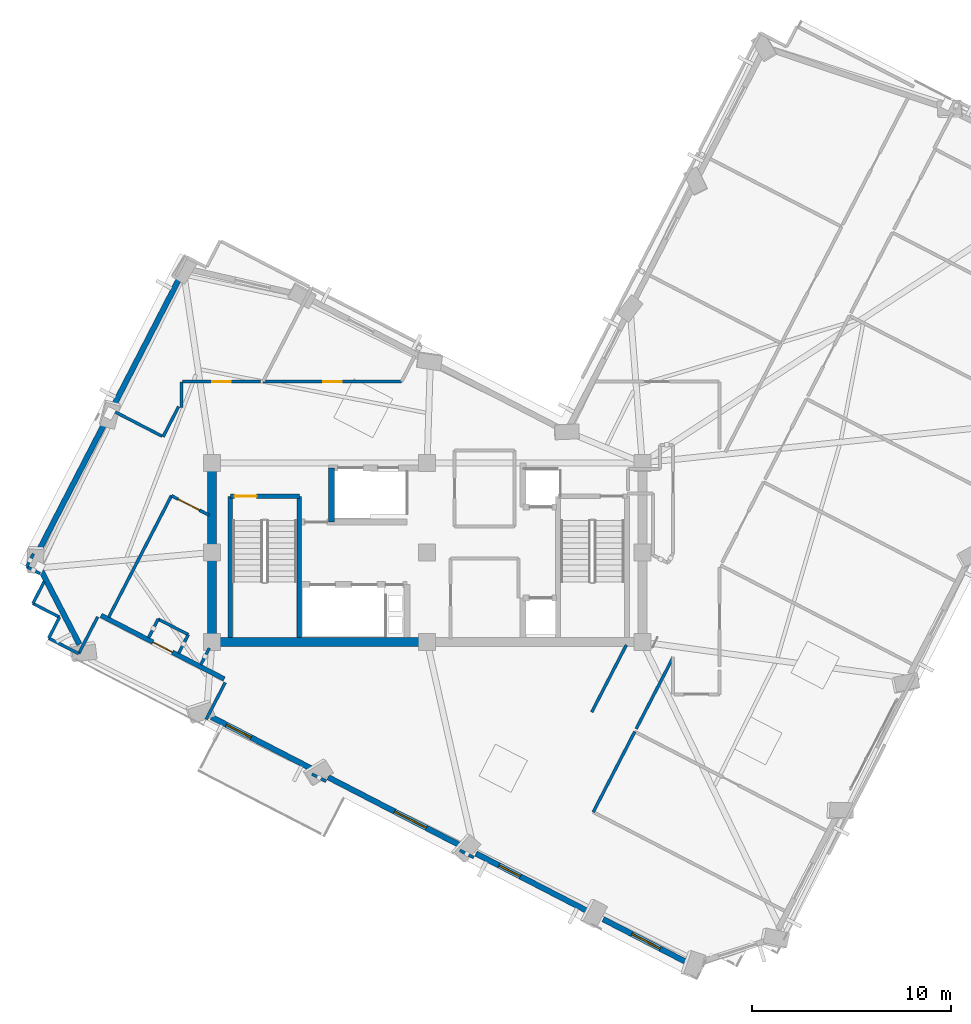
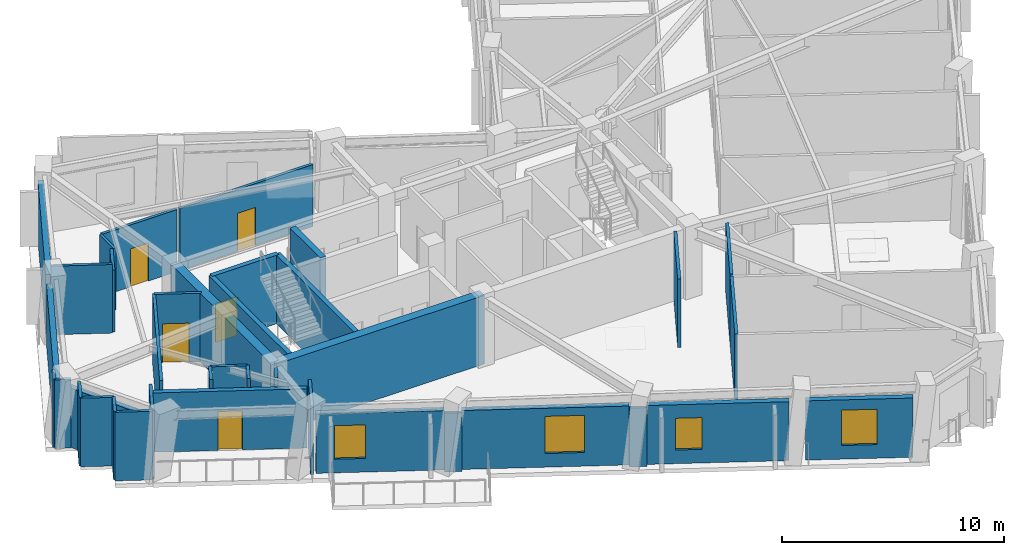
# One storey, part 5 of 11: 38 walls, 5 doors, 4 windows, 9 openings.
"""IFC4 building model written with IfcOpenShell, lengths in metres."""

from ifc_helpers import new_model, si_unit, direction, frame, frame_2d, origin, place, context, subcontext, project, spatial, rectangle, extrude, material, layer, layer_set, type_object, element, fill, save


model = new_model("IFC4")

# Units and contexts
model_context = context("Model", 3, precision=1e-05, world=origin(), true_north=direction((0.0, 1.0)))
body_context = subcontext(model_context, "Body", "Model", "MODEL_VIEW")
ifc_project = project(units=[si_unit("LENGTHUNIT", "METRE"), si_unit("AREAUNIT", "SQUARE_METRE"), si_unit("VOLUMEUNIT", "CUBIC_METRE"), si_unit("PLANEANGLEUNIT", "RADIAN"), si_unit("MASSUNIT", "GRAM", prefix="KILO")], contexts=[model_context])

# Site, building, storey
site_placement = place(None, origin())
site = spatial("IfcSite", under=ifc_project, at=site_placement, CompositionType="ELEMENT")
building_placement = place(site_placement, origin())
building = spatial("IfcBuilding", under=site, at=building_placement, Name="Gaonmaruhae Medical Tower", CompositionType="ELEMENT")
storey_placement = place(building_placement, frame((0.0, 0.0, 292.60009765625)))
storey = spatial("IfcBuildingStorey", under=building, at=storey_placement, Name="L70", CompositionType="ELEMENT", Elevation=292.60009765625)

# Walls
ifc_material_1 = material(Name="Concrete C50/60", Category="concrete")
ifc_layer_1 = layer(ifc_material_1, 0.449951171875)
ifc_layer_set_1 = layer_set([ifc_layer_1], Name="Concrete C50/60")
wall_type_1 = type_object("IfcWallType", Name="CW-450 Upper Core Shear Wall", PredefinedType="SHEAR", material=ifc_layer_set_1)
wall_1_placement = place(storey_placement, frame((14.0, 7.800048828125, 0.0), z_axis=(0.0, 0.0, 1.0), x_axis=(1.0, 0.0, 0.0)))
element("IfcWall", 1, at=wall_1_placement, inside=storey, type_object=wall_type_1, Name="L70 Core Shear Wall CSW-S1", PredefinedType="SHEAR", context=body_context, shape_type="SweptSolid", body=[
    extrude(rectangle(XDim=10.800048828125, YDim=0.449951171875, at=frame_2d((5.39990234375, 0.0))), origin(), (0.0, 0.0, 1.0), 3.77978515625),
])
wall_2_placement = place(storey_placement, frame((14.0, 16.800048828125, 0.0), z_axis=(0.0, 0.0, 1.0), x_axis=(0.0, -1.0, 0.0)))
element("IfcWall", 2, at=wall_2_placement, inside=storey, type_object=wall_type_1, Name="L70 Core Shear Wall CSW-W1", PredefinedType="SHEAR", context=body_context, shape_type="SweptSolid", body=[
    extrude(rectangle(XDim=9.0, YDim=0.449951171875, at=frame_2d((4.5, 0.0))), origin(), (0.0, 0.0, 1.0), 3.77978515625),
])

# Wall, opening, door
ifc_material_2 = material(Name="Precast concrete C45/55", Category="concrete")
ifc_layer_2 = layer(ifc_material_2, 0.239990234375)
ifc_layer_set_2 = layer_set([ifc_layer_2], Name="Precast concrete C45/55")
wall_type_2 = type_object("IfcWallType", Name="EW-240 Ribbon & Shelter Insulated Precast Wall", PredefinedType="SOLIDWALL", material=ifc_layer_set_2)
wall_3_placement = place(storey_placement, frame((14.618408203125, 5.94580078125, 0.0), z_axis=(0.0, 0.0, 1.0), x_axis=(-0.888607744186, 0.45866793759, 0.0)))
wall_3 = element("IfcWall", 3, at=wall_3_placement, inside=storey, type_object=wall_type_2, Name="L70 Recessed Terrace Enclosure Wall TERB", PredefinedType="SOLIDWALL", context=body_context, shape_type="SweptSolid", body=[
    extrude(rectangle(XDim=6.960205078125, YDim=0.239990234375, at=frame_2d((3.47998046875, 0.0))), origin(), (0.0, 0.0, 1.0), 3.264892578125),
])
opening_1_placement = place(wall_3_placement, frame((2.929931640625, 0.0, 0.0)))
opening_1 = element("IfcOpeningElement", 4, at=opening_1_placement, cuts=wall_3, Name="Opening TD-01", PredefinedType="OPENING", context=body_context, shape_type="SweptSolid", body=[
    extrude(rectangle(XDim=1.10009765625, YDim=2.14990234375, at=frame_2d((0.550048828125, 1.074951171875))), frame((0.0, 0.1298828125, 0.0), z_axis=(0.0, -1.0, 0.0), x_axis=(1.0, 0.0, 0.0)), (0.0, 0.0, 1.0), 0.260009765625),
])
ifc_material_3 = material(Name="Anodised aluminium and toughened safety glass", Category="aluminium")
door_type_1 = type_object("IfcDoorType", Name="TD-01 Terrace & Sky Garden Glazed Door 1100x2150", OperationType="NOTDEFINED", PredefinedType="DOOR", material=ifc_material_3)
door_1_placement = place(opening_1_placement, origin())
door_1 = element("IfcDoor", 5, at=door_1_placement, inside=storey, type_object=door_type_1, Name="L70 Outdoor Terrace Access Door SLB-L70-TER", OperationType="SINGLE_SWING_LEFT", OverallHeight=2.14990234375, OverallWidth=1.10009765625, PredefinedType="DOOR", context=body_context, shape_type="SweptSolid", body=[
    extrude(rectangle(XDim=1.10009765625, YDim=2.14990234375, at=frame_2d((0.550048828125, 1.074951171875))), frame((0.0, 0.02490234375, 0.0), z_axis=(0.0, -1.0, 0.0), x_axis=(1.0, 0.0, 0.0)), (0.0, 0.0, 1.0), 0.050048828125),
])
fill(opening_1, door_1)

# Walls
ifc_layer_3 = layer(ifc_material_2, 0.280029296875)
ifc_layer_set_3 = layer_set([ifc_layer_3], Name="Precast concrete C45/55")
wall_type_3 = type_object("IfcWallType", Name="EW-280 Upper Precast Masonry-Frame Facade Wall", PredefinedType="SOLIDWALL", material=ifc_layer_set_3)
wall_4_placement = place(storey_placement, frame((8.961181640625, 19.470458984375, 0.0), z_axis=(0.0, 0.0, 1.0), x_axis=(0.45865797747, 0.888612885177, 0.0)))
element("IfcWall", 6, at=wall_4_placement, inside=storey, type_object=wall_type_3, Name="L70 Precast Masonry-Frame Wall N01-N02", PredefinedType="SOLIDWALL", context=body_context, shape_type="SweptSolid", body=[
    extrude(rectangle(XDim=7.43408203125, YDim=0.280029296875, at=frame_2d((3.717041015625, 0.0))), origin(), (0.0, 0.0, 1.0), 3.264892578125),
])
wall_5_placement = place(storey_placement, frame((5.185791015625, 12.155517578125, 0.0), z_axis=(0.0, 0.0, 1.0), x_axis=(0.458658706645, 0.888612508813, 0.0)))
element("IfcWall", 7, at=wall_5_placement, inside=storey, type_object=wall_type_3, Name="L70 Precast Masonry-Frame Wall N02-N03", PredefinedType="SOLIDWALL", context=body_context, shape_type="SweptSolid", body=[
    extrude(rectangle(XDim=7.484619140625, YDim=0.280029296875, at=frame_2d((3.7421875, 0.0))), origin(), (0.0, 0.0, 1.0), 3.264892578125),
])
wall_6_placement = place(storey_placement, frame((7.344970703125, 7.68310546875, 0.0), z_axis=(0.0, 0.0, 1.0), x_axis=(-0.461467947399, 0.887156882137, 0.0)))
element("IfcWall", 8, at=wall_6_placement, inside=storey, type_object=wall_type_3, Name="L70 Precast Masonry-Frame Wall N03-W01", PredefinedType="SOLIDWALL", context=body_context, shape_type="SweptSolid", body=[
    extrude(rectangle(XDim=4.203369140625, YDim=0.280029296875, at=frame_2d((2.1015625, 0.0))), origin(), (0.0, 0.0, 1.0), 3.264892578125),
])

# Wall, opening, window
wall_7_placement = place(storey_placement, frame((19.126708984375, 1.379638671875, 0.0), z_axis=(0.0, 0.0, 1.0), x_axis=(-0.888621210399, 0.458641847664, 0.0)))
wall_7 = element("IfcWall", 9, at=wall_7_placement, inside=storey, type_object=wall_type_3, Name="L70 Precast Masonry-Frame Wall W02-W03", PredefinedType="SOLIDWALL", context=body_context, shape_type="SweptSolid", body=[
    extrude(rectangle(XDim=5.800537109375, YDim=0.280029296875, at=frame_2d((2.900390625, 0.0))), origin(), (0.0, 0.0, 1.0), 3.264892578125),
])
opening_2_placement = place(wall_7_placement, frame((3.553955078125, 0.0, 0.75)))
opening_2 = element("IfcOpeningElement", 10, at=opening_2_placement, cuts=wall_7, Name="Opening WN-03", PredefinedType="OPENING", context=body_context, shape_type="SweptSolid", body=[
    extrude(rectangle(XDim=1.39990234375, YDim=1.85009765625, at=frame_2d((0.699951171875, 0.925048828125))), frame((0.0, 0.14990234375, 0.0), z_axis=(0.0, -1.0, 0.0), x_axis=(1.0, 0.0, 0.0)), (0.0, 0.0, 1.0), 0.300048828125),
])
ifc_material_4 = material(Name="Anodised aluminium and Low-E double glazing", Category="aluminium")
window_type_1 = type_object("IfcWindowType", Name="WN-03 Isolation Ward Punched Window 1400x1850", PartitioningType="SINGLE_PANEL", PredefinedType="WINDOW", material=ifc_material_4)
window_1_placement = place(opening_2_placement, origin())
window_1 = element("IfcWindow", 11, at=window_1_placement, inside=storey, type_object=window_type_1, Name="L70 Modular Facade Window W02", OverallHeight=1.85009765625, OverallWidth=1.39990234375, PartitioningType="SINGLE_PANEL", PredefinedType="WINDOW", context=body_context, shape_type="SweptSolid", body=[
    extrude(rectangle(XDim=1.39990234375, YDim=1.85009765625, at=frame_2d((0.699951171875, 0.925048828125))), frame((0.0, 0.030029296875, 0.0), z_axis=(0.0, -1.0, 0.0), x_axis=(1.0, 0.0, 0.0)), (0.0, 0.0, 1.0), 0.06005859375),
])
fill(opening_2, window_1)

wall_8_placement = place(storey_placement, frame((26.54931640625, -2.451416015625, 0.0), z_axis=(0.0, 0.0, 1.0), x_axis=(-0.888630423742, 0.458623996319, 0.0)))
wall_8 = element("IfcWall", 12, at=wall_8_placement, inside=storey, type_object=wall_type_3, Name="L70 Precast Masonry-Frame Wall W03-W04", PredefinedType="SOLIDWALL", context=body_context, shape_type="SweptSolid", body=[
    extrude(rectangle(XDim=7.55859375, YDim=0.280029296875, at=frame_2d((3.779296875, 0.0))), origin(), (0.0, 0.0, 1.0), 3.244873046875),
])
opening_3_placement = place(wall_8_placement, frame((2.013427734375, 0.0, 0.75)))
opening_3 = element("IfcOpeningElement", 13, at=opening_3_placement, cuts=wall_8, Name="Opening WN-04", PredefinedType="OPENING", context=body_context, shape_type="SweptSolid", body=[
    extrude(rectangle(XDim=1.800048828125, YDim=2.050048828125, at=frame_2d((0.89990234375, 1.02490234375))), frame((0.0, 0.14990234375, 0.0), z_axis=(0.0, -1.0, 0.0), x_axis=(1.0, 0.0, 0.0)), (0.0, 0.0, 1.0), 0.300048828125),
])
window_type_2 = type_object("IfcWindowType", Name="WN-04 Clinic & Consult Punched Window 1800x2050", PartitioningType="SINGLE_PANEL", PredefinedType="WINDOW", material=ifc_material_4)
window_2_placement = place(opening_3_placement, origin())
window_2 = element("IfcWindow", 14, at=window_2_placement, inside=storey, type_object=window_type_2, Name="L70 Modular Facade Window W03", OverallHeight=2.050048828125, OverallWidth=1.800048828125, PartitioningType="SINGLE_PANEL", PredefinedType="WINDOW", context=body_context, shape_type="SweptSolid", body=[
    extrude(rectangle(XDim=1.800048828125, YDim=2.050048828125, at=frame_2d((0.89990234375, 1.02490234375))), frame((0.0, 0.030029296875, 0.0), z_axis=(0.0, -1.0, 0.0), x_axis=(1.0, 0.0, 0.0)), (0.0, 0.0, 1.0), 0.06005859375),
])
fill(opening_3, window_2)

wall_9_placement = place(storey_placement, frame((32.95849609375, -5.759521484375, 0.0), z_axis=(0.0, 0.0, 1.0), x_axis=(-0.888631646842, 0.458621626433, 0.0)))
wall_9 = element("IfcWall", 15, at=wall_9_placement, inside=storey, type_object=wall_type_3, Name="L70 Precast Masonry-Frame Wall W04-W05", PredefinedType="SOLIDWALL", context=body_context, shape_type="SweptSolid", body=[
    extrude(rectangle(XDim=6.42529296875, YDim=0.280029296875, at=frame_2d((3.212646484375, 0.0))), origin(), (0.0, 0.0, 1.0), 3.244873046875),
])
opening_4_placement = place(wall_9_placement, frame((3.91943359375, 0.0, 0.75)))
opening_4 = element("IfcOpeningElement", 16, at=opening_4_placement, cuts=wall_9, Name="Opening WN-05", PredefinedType="OPENING", context=body_context, shape_type="SweptSolid", body=[
    extrude(rectangle(XDim=1.199951171875, YDim=1.75, at=frame_2d((0.60009765625, 0.875))), frame((0.0, 0.14990234375, 0.0), z_axis=(0.0, -1.0, 0.0), x_axis=(1.0, 0.0, 0.0)), (0.0, 0.0, 1.0), 0.300048828125),
])
window_type_3 = type_object("IfcWindowType", Name="WN-05 Support & Staff Punched Window 1200x1750", PartitioningType="SINGLE_PANEL", PredefinedType="WINDOW", material=ifc_material_4)
window_3_placement = place(opening_4_placement, origin())
window_3 = element("IfcWindow", 17, at=window_3_placement, inside=storey, type_object=window_type_3, Name="L70 Modular Facade Window W04", OverallHeight=1.75, OverallWidth=1.199951171875, PartitioningType="SINGLE_PANEL", PredefinedType="WINDOW", context=body_context, shape_type="SweptSolid", body=[
    extrude(rectangle(XDim=1.199951171875, YDim=1.75, at=frame_2d((0.60009765625, 0.875))), frame((0.0, 0.030029296875, 0.0), z_axis=(0.0, -1.0, 0.0), x_axis=(1.0, 0.0, 0.0)), (0.0, 0.0, 1.0), 0.06005859375),
])
fill(opening_4, window_3)

wall_10_placement = place(storey_placement, frame((37.94970703125, -8.335693359375, 0.0), z_axis=(0.0, 0.0, 1.0), x_axis=(-0.888611402244, 0.458660850522, 0.0)))
wall_10 = element("IfcWall", 18, at=wall_10_placement, inside=storey, type_object=wall_type_3, Name="L70 Precast Masonry-Frame Wall W05-W06", PredefinedType="SOLIDWALL", context=body_context, shape_type="SweptSolid", body=[
    extrude(rectangle(XDim=4.85546875, YDim=0.280029296875, at=frame_2d((2.427734375, 0.0))), origin(), (0.0, 0.0, 1.0), 3.264892578125),
])
opening_5_placement = place(wall_10_placement, frame((1.632568359375, 0.0, 0.75)))
opening_5 = element("IfcOpeningElement", 19, at=opening_5_placement, cuts=wall_10, Name="Opening WN-01", PredefinedType="OPENING", context=body_context, shape_type="SweptSolid", body=[
    extrude(rectangle(XDim=1.60009765625, YDim=1.949951171875, at=frame_2d((0.800048828125, 0.97509765625))), frame((0.0, 0.14990234375, 0.0), z_axis=(0.0, -1.0, 0.0), x_axis=(1.0, 0.0, 0.0)), (0.0, 0.0, 1.0), 0.300048828125),
])
window_type_4 = type_object("IfcWindowType", Name="WN-01 Ward Punched Acoustic Window 1600x1950", PartitioningType="SINGLE_PANEL", PredefinedType="WINDOW", material=ifc_material_4)
window_4_placement = place(opening_5_placement, origin())
window_4 = element("IfcWindow", 20, at=window_4_placement, inside=storey, type_object=window_type_4, Name="L70 Modular Facade Window W05", OverallHeight=1.949951171875, OverallWidth=1.60009765625, PartitioningType="SINGLE_PANEL", PredefinedType="WINDOW", context=body_context, shape_type="SweptSolid", body=[
    extrude(rectangle(XDim=1.60009765625, YDim=1.949951171875, at=frame_2d((0.800048828125, 0.97509765625))), frame((0.0, 0.030029296875, 0.0), z_axis=(0.0, -1.0, 0.0), x_axis=(1.0, 0.0, 0.0)), (0.0, 0.0, 1.0), 0.06005859375),
])
fill(opening_5, window_4)

# Walls
ifc_material_5 = material(Name="Gypsum board partition", Category="gypsum")
ifc_layer_4 = layer(ifc_material_5, 0.14990234375)
ifc_layer_set_4 = layer_set([ifc_layer_4], Name="Gypsum board partition")
wall_type_4 = type_object("IfcWallType", Name="PW-150 Rated Clinical Corridor Partition", PredefinedType="PARTITIONING", material=ifc_layer_set_4)
wall_11_placement = place(storey_placement, frame((33.137939453125, -0.73193359375, 0.0), z_axis=(0.0, 0.0, 1.0), x_axis=(0.458812766044, 0.888532973904, 0.0)))
element("IfcWall", 21, at=wall_11_placement, inside=storey, type_object=wall_type_4, Name="L70 Interior Partition L70-SUP02-8", PredefinedType="PARTITIONING", context=body_context, shape_type="SweptSolid", body=[
    extrude(rectangle(XDim=4.5400390625, YDim=0.14990234375, at=frame_2d((2.27001953125, 0.0))), origin(), (0.0, 0.0, 1.0), 3.77978515625),
])
wall_12_placement = place(storey_placement, frame((35.2939453125, 3.444091796875, 0.0), z_axis=(0.0, 0.0, 1.0), x_axis=(0.458639846184, 0.888622243415, 0.0)))
element("IfcWall", 22, at=wall_12_placement, inside=storey, type_object=wall_type_4, Name="L70 Interior Partition L70-SUP03-15", PredefinedType="PARTITIONING", context=body_context, shape_type="SweptSolid", body=[
    extrude(rectangle(XDim=4.046630859375, YDim=0.14990234375, at=frame_2d((2.0234375, 0.0))), origin(), (0.0, 0.0, 1.0), 3.77978515625),
])
wall_13_placement = place(storey_placement, frame((27.14306640625, -3.01708984375, 0.0), z_axis=(0.0, 0.0, 1.0), x_axis=(-0.888453324691, 0.458966981215, 0.0)))
element("IfcWall", 23, at=wall_13_placement, inside=storey, type_object=wall_type_4, Name="L70 Interior Partition L70-WOF10-38", PredefinedType="PARTITIONING", context=body_context, shape_type="SweptSolid", body=[
    extrude(rectangle(XDim=0.78662109375, YDim=0.14990234375, at=frame_2d((0.393310546875, 0.0))), origin(), (0.0, 0.0, 1.0), 3.244873046875),
])
wall_14_placement = place(storey_placement, frame((19.72705078125, 0.81103515625, 0.0), z_axis=(0.0, 0.0, 1.0), x_axis=(-0.888826639059, 0.458243609556, 0.0)))
element("IfcWall", 24, at=wall_14_placement, inside=storey, type_object=wall_type_4, Name="L70 Interior Partition L70-WOF12-41", PredefinedType="PARTITIONING", context=body_context, shape_type="SweptSolid", body=[
    extrude(rectangle(XDim=0.79443359375, YDim=0.14990234375, at=frame_2d((0.397216796875, 0.0))), origin(), (0.0, 0.0, 1.0), 3.244873046875),
])
wall_15_placement = place(storey_placement, frame((13.70703125, 3.91796875, 0.0), z_axis=(0.0, 0.0, 1.0), x_axis=(0.458633949278, 0.888625286929, 0.0)))
element("IfcWall", 25, at=wall_15_placement, inside=storey, type_object=wall_type_4, Name="L70 Interior Partition L70-WOF13-43", PredefinedType="PARTITIONING", context=body_context, shape_type="SweptSolid", body=[
    extrude(rectangle(XDim=2.079833984375, YDim=0.14990234375, at=frame_2d((1.0400390625, 0.0))), origin(), (0.0, 0.0, 1.0), 3.77978515625),
])
wall_16_placement = place(storey_placement, frame((13.43603515625, 6.6630859375, 0.0), z_axis=(0.0, 0.0, 1.0), x_axis=(0.458583488953, 0.888651328508, 0.0)))
element("IfcWall", 26, at=wall_16_placement, inside=storey, type_object=wall_type_4, Name="L70 Interior Partition L70-WOF13-44", PredefinedType="PARTITIONING", context=body_context, shape_type="SweptSolid", body=[
    extrude(rectangle(XDim=0.94189453125, YDim=0.14990234375, at=frame_2d((0.470947265625, 0.0))), origin(), (0.0, 0.0, 1.0), 3.77978515625),
])
wall_17_placement = place(storey_placement, frame((12.324951171875, 7.237060546875, 0.0), z_axis=(0.0, 0.0, 1.0), x_axis=(0.459026142126, 0.888422760202, 0.0)))
element("IfcWall", 27, at=wall_17_placement, inside=storey, type_object=wall_type_4, Name="L70 Interior Partition L70-WCL14-45", PredefinedType="PARTITIONING", context=body_context, shape_type="SweptSolid", body=[
    extrude(rectangle(XDim=1.0546875, YDim=0.14990234375, at=frame_2d((0.52734375, 0.0))), origin(), (0.0, 0.0, 1.0), 3.77978515625),
])
wall_18_placement = place(storey_placement, frame((12.80908203125, 8.174072265625, 0.0), z_axis=(0.0, 0.0, 1.0), x_axis=(-0.888581014503, 0.458719719072, 0.0)))
element("IfcWall", 28, at=wall_18_placement, inside=storey, type_object=wall_type_4, Name="L70 Interior Partition L70-WCL14-46", PredefinedType="PARTITIONING", context=body_context, shape_type="SweptSolid", body=[
    extrude(rectangle(XDim=1.700439453125, YDim=0.14990234375, at=frame_2d((0.85009765625, 0.0))), origin(), (0.0, 0.0, 1.0), 3.77978515625),
])
wall_19_placement = place(storey_placement, frame((11.298095703125, 8.9541015625, 0.0), z_axis=(0.0, 0.0, 1.0), x_axis=(-0.458648811298, -0.888617616242, 0.0)))
element("IfcWall", 29, at=wall_19_placement, inside=storey, type_object=wall_type_4, Name="L70 Interior Partition L70-WCL14-47", PredefinedType="PARTITIONING", context=body_context, shape_type="SweptSolid", body=[
    extrude(rectangle(XDim=1.0556640625, YDim=0.14990234375, at=frame_2d((0.52783203125, 0.0))), origin(), (0.0, 0.0, 1.0), 3.77978515625),
])
wall_20_placement = place(storey_placement, frame((8.81494140625, 9.048095703125, 0.0), z_axis=(0.0, 0.0, 1.0), x_axis=(0.458543271669, 0.888672081258, 0.0)))
element("IfcWall", 30, at=wall_20_placement, inside=storey, type_object=wall_type_4, Name="L70 Interior Partition L70-WCL14-48", PredefinedType="PARTITIONING", context=body_context, shape_type="SweptSolid", body=[
    extrude(rectangle(XDim=6.864990234375, YDim=0.14990234375, at=frame_2d((3.4326171875, 0.0))), origin(), (0.0, 0.0, 1.0), 3.77978515625),
])

# Wall, opening, door
wall_21_placement = place(storey_placement, frame((11.962890625, 15.14892578125, 0.0), z_axis=(0.0, 0.0, 1.0), x_axis=(0.888443021372, -0.458986925496, 0.0)))
wall_21 = element("IfcWall", 31, at=wall_21_placement, inside=storey, type_object=wall_type_4, Name="L70 Interior Partition L70-WCL14-49", PredefinedType="PARTITIONING", context=body_context, shape_type="SweptSolid", body=[
    extrude(rectangle(XDim=2.133056640625, YDim=0.14990234375, at=frame_2d((1.06640625, 0.0))), origin(), (0.0, 0.0, 1.0), 3.77978515625),
])
opening_6_placement = place(wall_21_placement, frame((0.37744140625, 0.0, 0.0)))
opening_6 = element("IfcOpeningElement", 32, at=opening_6_placement, cuts=wall_21, Name="Opening CD-02", PredefinedType="OPENING", context=body_context, shape_type="SweptSolid", body=[
    extrude(rectangle(XDim=1.199951171875, YDim=2.14990234375, at=frame_2d((0.60009765625, 1.074951171875))), frame((0.0, 0.0849609375, 0.0), z_axis=(0.0, -1.0, 0.0), x_axis=(1.0, 0.0, 0.0)), (0.0, 0.0, 1.0), 0.169921875),
])
ifc_material_6 = material(Name="Antimicrobial laminate timber fire door", Category="wood")
door_type_2 = type_object("IfcDoorType", Name="CD-02 Clinical Treatment & Procedure Door 1200x2150", OperationType="NOTDEFINED", PredefinedType="DOOR", material=ifc_material_6)
door_2_placement = place(opening_6_placement, origin())
door_2 = element("IfcDoor", 33, at=door_2_placement, inside=storey, type_object=door_type_2, Name="L70 Specialist Consultation Office Door", OperationType="SINGLE_SWING_LEFT", OverallHeight=2.14990234375, OverallWidth=1.199951171875, PredefinedType="DOOR", context=body_context, shape_type="SweptSolid", body=[
    extrude(rectangle(XDim=1.199951171875, YDim=2.14990234375, at=frame_2d((0.60009765625, 1.074951171875))), frame((0.0, 0.02490234375, 0.0), z_axis=(0.0, -1.0, 0.0), x_axis=(1.0, 0.0, 0.0)), (0.0, 0.0, 1.0), 0.050048828125),
])
fill(opening_6, door_2)

# Walls
wall_22_placement = place(storey_placement, frame((5.798095703125, 8.0, 0.0), z_axis=(0.0, 0.0, 1.0), x_axis=(0.458347851985, 0.888772888077, 0.0)))
element("IfcWall", 34, at=wall_22_placement, inside=storey, type_object=wall_type_4, Name="L70 Interior Partition L70-BR01-50", PredefinedType="PARTITIONING", context=body_context, shape_type="SweptSolid", body=[
    extrude(rectangle(XDim=1.180419921875, YDim=0.14990234375, at=frame_2d((0.59033203125, 0.0))), origin(), (0.0, 0.0, 1.0), 3.77978515625),
])
wall_23_placement = place(storey_placement, frame((6.339111328125, 9.049072265625, 0.0), z_axis=(0.0, 0.0, 1.0), x_axis=(-0.88862493644, 0.458634628368, 0.0)))
element("IfcWall", 35, at=wall_23_placement, inside=storey, type_object=wall_type_4, Name="L70 Interior Partition L70-BR01-51", PredefinedType="PARTITIONING", context=body_context, shape_type="SweptSolid", body=[
    extrude(rectangle(XDim=1.5, YDim=0.14990234375, at=frame_2d((0.75, 0.0))), origin(), (0.0, 0.0, 1.0), 3.77978515625),
])
wall_24_placement = place(storey_placement, frame((5.006103515625, 9.737060546875, 0.0), z_axis=(0.0, 0.0, 1.0), x_axis=(0.458452126499, 0.888719105066, 0.0)))
element("IfcWall", 36, at=wall_24_placement, inside=storey, type_object=wall_type_4, Name="L70 Interior Partition L70-BR01-52", PredefinedType="PARTITIONING", context=body_context, shape_type="SweptSolid", body=[
    extrude(rectangle(XDim=1.23876953125, YDim=0.14990234375, at=frame_2d((0.619384765625, 0.0))), origin(), (0.0, 0.0, 1.0), 3.77978515625),
])
wall_25_placement = place(storey_placement, frame((5.364990234375, 11.239013671875, 0.0), z_axis=(0.0, 0.0, 1.0), x_axis=(-0.888487880931, 0.458900082196, 0.0)))
element("IfcWall", 37, at=wall_25_placement, inside=storey, type_object=wall_type_4, Name="L70 Interior Partition L70-BR01-53", PredefinedType="PARTITIONING", context=body_context, shape_type="SweptSolid", body=[
    extrude(rectangle(XDim=0.74951171875, YDim=0.14990234375, at=frame_2d((0.374755859375, 0.0))), origin(), (0.0, 0.0, 1.0), 3.77978515625),
])
wall_26_placement = place(storey_placement, frame((4.698974609375, 11.5830078125, 0.0), z_axis=(0.0, 0.0, 1.0), x_axis=(0.459186862893, 0.888339701323, 0.0)))
element("IfcWall", 38, at=wall_26_placement, inside=storey, type_object=wall_type_4, Name="L70 Interior Partition L70-BR01-54", PredefinedType="PARTITIONING", context=body_context, shape_type="SweptSolid", body=[
    extrude(rectangle(XDim=0.731689453125, YDim=0.14990234375, at=frame_2d((0.36572265625, 0.0))), origin(), (0.0, 0.0, 1.0), 3.77978515625),
])
wall_27_placement = place(storey_placement, frame((8.262939453125, 9.069091796875, 0.0), z_axis=(0.0, 0.0, 1.0), x_axis=(-0.458442651209, -0.888723992898, 0.0)))
element("IfcWall", 39, at=wall_27_placement, inside=storey, type_object=wall_type_4, Name="L70 Interior Partition L70-BR01-58", PredefinedType="PARTITIONING", context=body_context, shape_type="SweptSolid", body=[
    extrude(rectangle(XDim=2.08056640625, YDim=0.14990234375, at=frame_2d((1.040283203125, 0.0))), origin(), (0.0, 0.0, 1.0), 3.77978515625),
])
wall_28_placement = place(storey_placement, frame((7.30908203125, 7.219970703125, 0.0), z_axis=(0.0, 0.0, 1.0), x_axis=(-0.888581014503, 0.458719719072, 0.0)))
element("IfcWall", 40, at=wall_28_placement, inside=storey, type_object=wall_type_4, Name="L70 Interior Partition L70-BR01-59", PredefinedType="PARTITIONING", context=body_context, shape_type="SweptSolid", body=[
    extrude(rectangle(XDim=1.700439453125, YDim=0.14990234375, at=frame_2d((0.85009765625, 0.0))), origin(), (0.0, 0.0, 1.0), 3.77978515625),
])

# Wall, opening, door
wall_29_placement = place(storey_placement, frame((23.51904296875, 20.8798828125, 0.0), z_axis=(0.0, 0.0, 1.0), x_axis=(-1.0, 0.0, 0.0)))
wall_29 = element("IfcWall", 41, at=wall_29_placement, inside=storey, type_object=wall_type_4, Name="L70 Interior Partition L70-IN02-85", PredefinedType="PARTITIONING", context=body_context, shape_type="SweptSolid", body=[
    extrude(rectangle(XDim=6.9541015625, YDim=0.14990234375, at=frame_2d((3.47705078125, 0.0))), origin(), (0.0, 0.0, 1.0), 3.414794921875),
])
opening_7_placement = place(wall_29_placement, frame((3.01708984375, 0.0, 0.0)))
opening_7 = element("IfcOpeningElement", 42, at=opening_7_placement, cuts=wall_29, Name="Opening UD-01", PredefinedType="OPENING", context=body_context, shape_type="SweptSolid", body=[
    extrude(rectangle(XDim=0.919921875, YDim=2.10009765625, at=frame_2d((0.4599609375, 1.050048828125))), frame((0.0, 0.0849609375, 0.0), z_axis=(0.0, -1.0, 0.0), x_axis=(1.0, 0.0, 0.0)), (0.0, 0.0, 1.0), 0.169921875),
])
ifc_material_7 = material(Name="Powder-coated steel utility door", Category="steel")
door_type_3 = type_object("IfcDoorType", Name="UD-01 Toilet, Utility & Housekeeping Door 920x2100", OperationType="NOTDEFINED", PredefinedType="DOOR", material=ifc_material_7)
door_3_placement = place(opening_7_placement, origin())
door_3 = element("IfcDoor", 43, at=door_3_placement, inside=storey, type_object=door_type_3, Name="L70 Ward Nutrition Pantry Door", OperationType="SINGLE_SWING_RIGHT", OverallHeight=2.10009765625, OverallWidth=0.919921875, PredefinedType="DOOR", context=body_context, shape_type="SweptSolid", body=[
    extrude(rectangle(XDim=0.919921875, YDim=2.10009765625, at=frame_2d((0.4599609375, 1.050048828125))), frame((0.0, 0.02490234375, 0.0), z_axis=(0.0, -1.0, 0.0), x_axis=(1.0, 0.0, 0.0)), (0.0, 0.0, 1.0), 0.050048828125),
])
fill(opening_7, door_3)

# Walls
wall_30_placement = place(storey_placement, frame((12.469970703125, 20.85009765625, 0.0), z_axis=(0.0, 0.0, 1.0), x_axis=(0.0, -1.0, 0.0)))
element("IfcWall", 44, at=wall_30_placement, inside=storey, type_object=wall_type_4, Name="L70 Interior Partition L70-IN03-90", PredefinedType="PARTITIONING", context=body_context, shape_type="SweptSolid", body=[
    extrude(rectangle(XDim=1.27001953125, YDim=0.14990234375, at=frame_2d((0.635009765625, 0.0))), origin(), (0.0, 0.0, 1.0), 3.414794921875),
])
wall_31_placement = place(storey_placement, frame((12.325927734375, 19.623046875, 0.0), z_axis=(0.0, 0.0, 1.0), x_axis=(-0.45870501117, -0.888588607134, 0.0)))
element("IfcWall", 45, at=wall_31_placement, inside=storey, type_object=wall_type_4, Name="L70 Interior Partition L70-IN03-91", PredefinedType="PARTITIONING", context=body_context, shape_type="SweptSolid", body=[
    extrude(rectangle(XDim=1.70263671875, YDim=0.14990234375, at=frame_2d((0.851318359375, 0.0))), origin(), (0.0, 0.0, 1.0), 3.414794921875),
])
wall_32_placement = place(storey_placement, frame((11.5009765625, 18.133056640625, 0.0), z_axis=(0.0, 0.0, 1.0), x_axis=(-0.888561279263, 0.458757945975, 0.0)))
element("IfcWall", 46, at=wall_32_placement, inside=storey, type_object=wall_type_4, Name="L70 Interior Partition L70-IN03-92", PredefinedType="PARTITIONING", context=body_context, shape_type="SweptSolid", body=[
    extrude(rectangle(XDim=2.75732421875, YDim=0.14990234375, at=frame_2d((1.378662109375, 0.0))), origin(), (0.0, 0.0, 1.0), 3.77978515625),
])

# Wall, opening, door
wall_33_placement = place(storey_placement, frame((16.429931640625, 20.8798828125, 0.0), z_axis=(0.0, 0.0, 1.0), x_axis=(-1.0, 0.0, 0.0)))
wall_33 = element("IfcWall", 47, at=wall_33_placement, inside=storey, type_object=wall_type_4, Name="L70 Interior Partition L70-IN03-97", PredefinedType="PARTITIONING", context=body_context, shape_type="SweptSolid", body=[
    extrude(rectangle(XDim=3.919921875, YDim=0.14990234375, at=frame_2d((1.9599609375, 0.0))), origin(), (0.0, 0.0, 1.0), 3.414794921875),
])
opening_8_placement = place(wall_33_placement, frame((1.5, 0.0, 0.0)))
opening_8 = element("IfcOpeningElement", 48, at=opening_8_placement, cuts=wall_33, Name="Opening UD-01", PredefinedType="OPENING", context=body_context, shape_type="SweptSolid", body=[
    extrude(rectangle(XDim=0.919921875, YDim=2.10009765625, at=frame_2d((0.4599609375, 1.050048828125))), frame((0.0, 0.0849609375, 0.0), z_axis=(0.0, -1.0, 0.0), x_axis=(1.0, 0.0, 0.0)), (0.0, 0.0, 1.0), 0.169921875),
])
door_4_placement = place(opening_8_placement, origin())
door_4 = element("IfcDoor", 49, at=door_4_placement, inside=storey, type_object=door_type_3, Name="L70 Public Visitor Toilet Door", OperationType="SINGLE_SWING_RIGHT", OverallHeight=2.10009765625, OverallWidth=0.919921875, PredefinedType="DOOR", context=body_context, shape_type="SweptSolid", body=[
    extrude(rectangle(XDim=0.919921875, YDim=2.10009765625, at=frame_2d((0.4599609375, 1.050048828125))), frame((0.0, 0.02490234375, 0.0), z_axis=(0.0, -1.0, 0.0), x_axis=(1.0, 0.0, 0.0)), (0.0, 0.0, 1.0), 0.050048828125),
])
fill(opening_8, door_4)

# Wall
wall_34_placement = place(storey_placement, frame((34.801025390625, 7.657958984375, 0.0), z_axis=(0.0, 0.0, 1.0), x_axis=(-0.458441484691, -0.888724594638, 0.0)))
element("IfcWall", 50, at=wall_34_placement, inside=storey, type_object=wall_type_4, Name="L70 Interior Partition L70-RM02-99", PredefinedType="PARTITIONING", context=body_context, shape_type="SweptSolid", body=[
    extrude(rectangle(XDim=3.797607421875, YDim=0.14990234375, at=frame_2d((1.89892578125, 0.0))), origin(), (0.0, 0.0, 1.0), 3.77978515625),
])

# Wall, opening, door
ifc_layer_5 = layer(ifc_material_1, 0.239990234375)
ifc_layer_set_5 = layer_set([ifc_layer_5], Name="Concrete C50/60")
wall_type_5 = type_object("IfcWallType", Name="SW-240 Dogleg Stair Tight Shaft Wall", PredefinedType="SOLIDWALL", material=ifc_layer_set_5)
wall_35_placement = place(storey_placement, frame((14.919921875, 15.1201171875, 0.0), z_axis=(0.0, 0.0, 1.0), x_axis=(1.0, 0.0, 0.0)))
wall_35 = element("IfcWall", 51, at=wall_35_placement, inside=storey, type_object=wall_type_5, Name="L70 ST-01 Stair Shaft Wall SHW-ST-01-N", PredefinedType="SOLIDWALL", context=body_context, shape_type="SweptSolid", body=[
    extrude(rectangle(XDim=3.4599609375, YDim=0.239990234375, at=frame_2d((1.72998046875, 0.0))), origin(), (0.0, 0.0, 1.0), 3.77978515625),
])
opening_9_placement = place(wall_35_placement, frame((0.219970703125, 0.0, 0.0)))
opening_9 = element("IfcOpeningElement", 52, at=opening_9_placement, cuts=wall_35, Name="Opening FD-01", PredefinedType="OPENING", context=body_context, shape_type="SweptSolid", body=[
    extrude(rectangle(XDim=1.10009765625, YDim=2.14990234375, at=frame_2d((0.550048828125, 1.074951171875))), frame((0.0, 0.1298828125, 0.0), z_axis=(0.0, -1.0, 0.0), x_axis=(1.0, 0.0, 0.0)), (0.0, 0.0, 1.0), 0.260009765625),
])
ifc_material_8 = material(Name="Powder-coated steel fire door", Category="steel")
door_type_4 = type_object("IfcDoorType", Name="FD-01 Escape Stair Protected Fire Door 1100x2150", OperationType="NOTDEFINED", PredefinedType="DOOR", material=ifc_material_8)
door_5_placement = place(opening_9_placement, origin())
door_5 = element("IfcDoor", 53, at=door_5_placement, inside=storey, type_object=door_type_4, Name="L70 ST-01 Protected Escape Stair Door", OperationType="SINGLE_SWING_RIGHT", OverallHeight=2.14990234375, OverallWidth=1.10009765625, PredefinedType="DOOR", context=body_context, shape_type="SweptSolid", body=[
    extrude(rectangle(XDim=1.10009765625, YDim=2.14990234375, at=frame_2d((0.550048828125, 1.074951171875))), frame((0.0, 0.02490234375, 0.0), z_axis=(0.0, -1.0, 0.0), x_axis=(1.0, 0.0, 0.0)), (0.0, 0.0, 1.0), 0.050048828125),
])
fill(opening_9, door_5)

# Walls
for number, where, z_axis, x_axis, name in (
    (54, (18.3798828125, 15.1201171875, 0.0), (0.0, 0.0, 1.0), (0.0, -1.0, 0.0), "L70 ST-01 Stair Shaft Wall SHW-ST-01-E"),
    (55, (14.919921875, 8.02490234375, 0.0), (0.0, 0.0, 1.0), (0.0, 1.0, 0.0), "L70 ST-01 Stair Shaft Wall SHW-ST-01-W"),
):
    element("IfcWall", number, at=place(storey_placement, frame(where, z_axis=z_axis, x_axis=x_axis)), inside=storey, type_object=wall_type_5, Name=name, PredefinedType="SOLIDWALL", context=body_context, shape_type="SweptSolid", body=[
        extrude(rectangle(XDim=7.09521484375, YDim=0.239990234375, at=frame_2d((3.547607421875, 0.0))), origin(), (0.0, 0.0, 1.0), 3.77978515625),
    ])
ifc_layer_6 = layer(ifc_material_1, 0.300048828125)
ifc_layer_set_6 = layer_set([ifc_layer_6], Name="Concrete C50/60")
wall_type_6 = type_object("IfcWallType", Name="SW-300 Stair & Lift Hoistway Shaft Wall", PredefinedType="SOLIDWALL", material=ifc_layer_set_6)
wall_36_placement = place(storey_placement, frame((20.0, 13.820068359375, 0.0), z_axis=(0.0, 0.0, 1.0), x_axis=(0.0, 1.0, 0.0)))
element("IfcWall", 56, at=wall_36_placement, inside=storey, type_object=wall_type_6, Name="L70 Shaft Enclosure Wall SHW-BDW", PredefinedType="SOLIDWALL", context=body_context, shape_type="SweptSolid", body=[
    extrude(rectangle(XDim=2.72998046875, YDim=0.300048828125, at=frame_2d((1.364990234375, 0.0))), origin(), (0.0, 0.0, 1.0), 3.77978515625),
])

save(model, "model.ifc")
